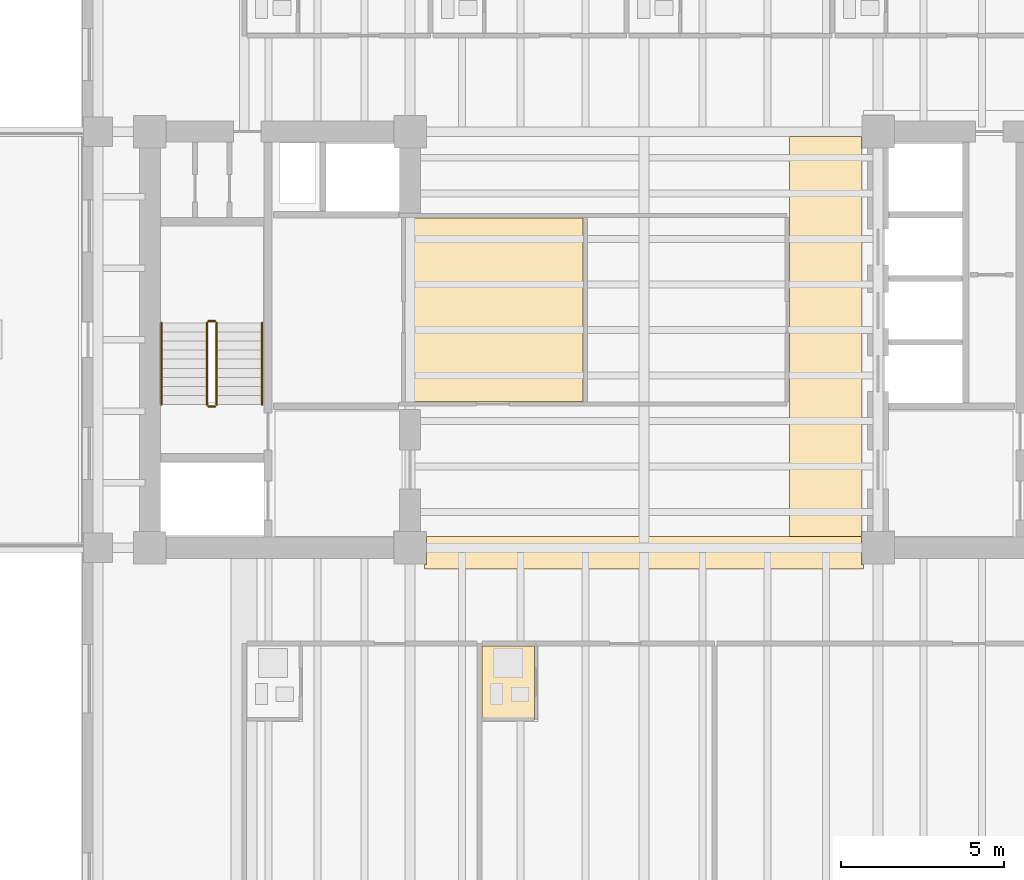
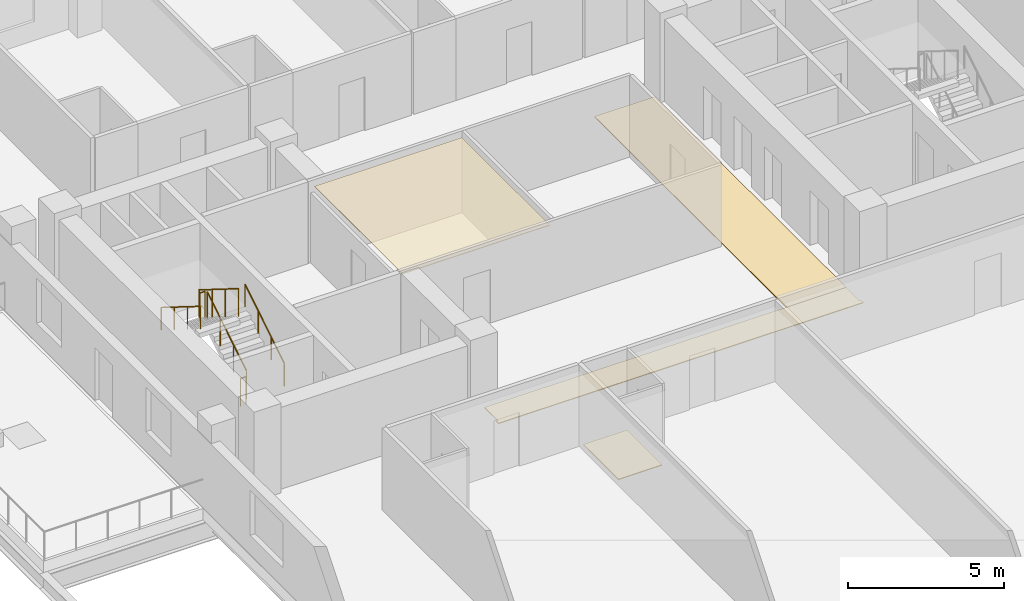
# One storey, part 8 of 11: 6 railings, 4 coverings.
"""IFC4 building model written with IfcOpenShell, lengths in metres."""

from ifc_helpers import new_model, si_unit, direction, frame, origin, origin_2d, place, context, subcontext, project, spatial, polyline, circle, outline, extrude, material, layer, layer_set, type_object, element, save


model = new_model("IFC4")

# Units and contexts
model_context = context("Model", 3, precision=1e-05, world=origin(), true_north=direction((0.0, 1.0)))
body_context = subcontext(model_context, "Body", "Model", "MODEL_VIEW")
ifc_project = project(units=[si_unit("LENGTHUNIT", "METRE"), si_unit("AREAUNIT", "SQUARE_METRE"), si_unit("VOLUMEUNIT", "CUBIC_METRE"), si_unit("PLANEANGLEUNIT", "RADIAN"), si_unit("MASSUNIT", "GRAM", prefix="KILO")], contexts=[model_context])

# Site, building, storey
site_placement = place(None, origin())
site = spatial("IfcSite", under=ifc_project, at=site_placement, CompositionType="ELEMENT")
building_placement = place(site_placement, origin())
building = spatial("IfcBuilding", under=site, at=building_placement, Name="Kranthara Brick Stack", CompositionType="ELEMENT")
storey_placement = place(building_placement, frame((0.0, 0.0, 141.300048828125)))
storey = spatial("IfcBuildingStorey", under=building, at=storey_placement, Name="L35", CompositionType="ELEMENT", Elevation=141.300048828125)

# Coverings
ifc_material_1 = material(Name="Perforated mineral-fibre acoustic ceiling tile", Category="other")
ifc_layer_1 = layer(ifc_material_1, 0.02490234375)
ifc_layer_set_1 = layer_set([ifc_layer_1], Name="Perforated mineral-fibre acoustic ceiling tile")
covering_type_1 = type_object("IfcCoveringType", Name="COV-CEIL-ACOUSTIC", PredefinedType="CEILING", material=ifc_layer_set_1)
covering_1_placement = place(storey_placement, frame((0.0, 0.0, 2.929931640625)))
element("IfcCovering", 1, at=covering_1_placement, inside=storey, type_object=covering_type_1, Name="L35 L35 Hotel Tea Salon Acoustic Ceiling", PredefinedType="CEILING", context=body_context, shape_type="SweptSolid", body=[
    extrude(outline(polyline([(26.1201171875, 25.300048828125), (26.1201171875, 30.93994140625), (20.679931640625, 30.93994140625), (20.679931640625, 25.300048828125), (26.1201171875, 25.300048828125)])), origin(), (0.0, 0.0, 1.0), 0.02490234375),
])
ifc_material_2 = material(Name="Honed terrazzo and porcelain floor finish", Category="stone")
ifc_layer_2 = layer(ifc_material_2, 0.030029296875)
ifc_layer_set_2 = layer_set([ifc_layer_2], Name="Honed terrazzo and porcelain floor finish")
covering_type_2 = type_object("IfcCoveringType", Name="COV-FLOR-STONE", PredefinedType="FLOORING", material=ifc_layer_set_2)
covering_2_placement = place(storey_placement, origin())
element("IfcCovering", 2, at=covering_2_placement, inside=storey, type_object=covering_type_2, Name="L35 Lift Lobby Stone Flooring", PredefinedType="FLOORING", context=body_context, shape_type="SweptSolid", body=[
    extrude(outline(polyline([(32.47998046875, 33.449951171875), (34.68994140625, 33.449951171875), (34.68994140625, 33.090087890625), (34.699951171875, 33.090087890625), (34.699951171875, 21.31005859375), (34.68994140625, 21.31005859375), (34.68994140625, 21.14990234375), (32.47998046875, 21.14990234375), (32.47998046875, 33.449951171875)])), origin(), (0.0, 0.0, 1.0), 0.030029296875),
])
covering_3_placement = place(storey_placement, origin())
element("IfcCovering", 3, at=covering_3_placement, inside=storey, type_object=covering_type_2, Name="L35 Lift Lobby Stone Flooring", PredefinedType="FLOORING", context=body_context, shape_type="SweptSolid", body=[
    extrude(outline(polyline([(21.25, 20.2900390625), (21.31005859375, 20.2900390625), (21.31005859375, 21.14990234375), (32.47998046875, 21.14990234375), (34.68994140625, 21.14990234375), (34.68994140625, 20.2900390625), (34.75, 20.2900390625), (34.75, 20.14990234375), (21.25, 20.14990234375), (21.25, 20.2900390625)])), origin(), (0.0, 0.0, 1.0), 0.030029296875),
])
covering_4_placement = place(storey_placement, origin())
element("IfcCovering", 4, at=covering_4_placement, inside=storey, type_object=covering_type_2, Name="L35 Wet Room Porcelain Flooring", PredefinedType="FLOORING", context=body_context, shape_type="SweptSolid", body=[
    extrude(outline(polyline([(23.01611328125, 15.52001953125), (23.01611328125, 17.77001953125), (24.632568359375, 17.77001953125), (24.632568359375, 15.52001953125), (23.01611328125, 15.52001953125)])), origin(), (0.0, 0.0, 1.0), 0.030029296875),
])

# Railings
ifc_material_3 = material(Name="Painted galvanized steel stair guardrail", Category="steel")
railing_type_1 = type_object("IfcRailingType", Name="RL-STAIR-GUARD-1100", PredefinedType="GUARDRAIL", material=ifc_material_3)
railing_1_placement = place(storey_placement, frame((14.85009765625, 25.199951171875, 0.175048828125)))
element("IfcRailing", 5, at=railing_1_placement, inside=storey, type_object=railing_type_1, Name="L35 ST01 stair guard 1", PredefinedType="GUARDRAIL", context=body_context, shape_type="SweptSolid", body=[
    extrude(circle(Radius=0.02392578125, at=origin_2d()), frame((0.0, 0.0, 1.076171875), z_axis=(0.0, 0.848007534815, 0.529984170421), x_axis=(-1.0, 0.0, 0.0)), (0.0, 0.0, 1.0), 2.9716796875),
    extrude(circle(Radius=0.02099609375, at=origin_2d()), origin(), (0.0, 0.0, 1.0), 1.052001953125),
    extrude(circle(Radius=0.02099609375, at=origin_2d()), frame((0.0, 0.840087890625, 0.52490234375)), (0.0, 0.0, 1.0), 1.052001953125),
    extrude(circle(Radius=0.02099609375, at=origin_2d()), frame((0.0, 1.679931640625, 1.050048828125)), (0.0, 0.0, 1.0), 1.052001953125),
    extrude(circle(Radius=0.02099609375, at=origin_2d()), frame((0.0, 2.52001953125, 1.574951171875)), (0.0, 0.0, 1.0), 1.052001953125),
])
railing_2_placement = place(storey_placement, frame((14.800048828125, 27.77001953125, 1.75)))
element("IfcRailing", 6, at=railing_2_placement, inside=storey, type_object=railing_type_1, Name="L35 ST01 stair guard 2", PredefinedType="GUARDRAIL", context=body_context, shape_type="SweptSolid", body=[
    extrude(circle(Radius=0.02392578125, at=origin_2d()), frame((0.0, 0.0, 1.076171875), z_axis=(-1.0, 0.0, 0.0), x_axis=(0.0, -1.0, 0.0)), (0.0, 0.0, 1.0), 0.199951171875),
    extrude(circle(Radius=0.02099609375, at=origin_2d()), origin(), (0.0, 0.0, 1.0), 1.052001953125),
    extrude(circle(Radius=0.02099609375, at=origin_2d()), frame((-0.199951171875, 0.0, 0.0)), (0.0, 0.0, 1.0), 1.052001953125),
])
railing_3_placement = place(storey_placement, frame((14.550048828125, 27.719970703125, 1.925048828125)))
element("IfcRailing", 7, at=railing_3_placement, inside=storey, type_object=railing_type_1, Name="L35 ST01 stair guard 3", PredefinedType="GUARDRAIL", context=body_context, shape_type="SweptSolid", body=[
    extrude(circle(Radius=0.02392578125, at=origin_2d()), frame((0.0, 0.0, 1.076171875), z_axis=(0.0, -0.848007534815, 0.529984170421), x_axis=(1.0, 0.0, 0.0)), (0.0, 0.0, 1.0), 2.9716796875),
    extrude(circle(Radius=0.02099609375, at=origin_2d()), origin(), (0.0, 0.0, 1.0), 1.052001953125),
    extrude(circle(Radius=0.02099609375, at=origin_2d()), frame((0.0, -0.840087890625, 0.52490234375)), (0.0, 0.0, 1.0), 1.052001953125),
    extrude(circle(Radius=0.02099609375, at=origin_2d()), frame((0.0, -1.679931640625, 1.050048828125)), (0.0, 0.0, 1.0), 1.052001953125),
    extrude(circle(Radius=0.02099609375, at=origin_2d()), frame((0.0, -2.52001953125, 1.574951171875)), (0.0, 0.0, 1.0), 1.052001953125),
])
railing_4_placement = place(storey_placement, frame((14.800048828125, 25.14990234375, 0.0)))
element("IfcRailing", 8, at=railing_4_placement, inside=storey, type_object=railing_type_1, Name="L35 ST01 stair guard 4", PredefinedType="GUARDRAIL", context=body_context, shape_type="SweptSolid", body=[
    extrude(circle(Radius=0.02392578125, at=origin_2d()), frame((0.0, 0.0, 1.076171875), z_axis=(-1.0, 0.0, 0.0), x_axis=(0.0, -1.0, 0.0)), (0.0, 0.0, 1.0), 0.199951171875),
    extrude(circle(Radius=0.02099609375, at=origin_2d()), origin(), (0.0, 0.0, 1.0), 1.052001953125),
    extrude(circle(Radius=0.02099609375, at=origin_2d()), frame((-0.199951171875, 0.0, 0.0)), (0.0, 0.0, 1.0), 1.052001953125),
])
ifc_material_4 = material(Name="Brushed stainless steel tubular handrail", Category="steel")
railing_type_2 = type_object("IfcRailingType", Name="RL-STAIR-HAND-900", PredefinedType="HANDRAIL", material=ifc_material_4)
railing_5_placement = place(storey_placement, frame((16.25, 25.199951171875, 0.175048828125)))
element("IfcRailing", 9, at=railing_5_placement, inside=storey, type_object=railing_type_2, Name="L35 ST01 stair handrail 1", PredefinedType="HANDRAIL", context=body_context, shape_type="SweptSolid", body=[
    extrude(circle(Radius=0.02392578125, at=origin_2d()), frame((0.0, 0.0, 0.8759765625), z_axis=(0.0, 0.848007534815, 0.529984170421), x_axis=(-1.0, 0.0, 0.0)), (0.0, 0.0, 1.0), 2.9716796875),
    extrude(circle(Radius=0.02099609375, at=origin_2d()), origin(), (0.0, 0.0, 1.0), 0.851806640625),
    extrude(circle(Radius=0.02099609375, at=origin_2d()), frame((0.0, 0.840087890625, 0.52490234375)), (0.0, 0.0, 1.0), 0.851806640625),
    extrude(circle(Radius=0.02099609375, at=origin_2d()), frame((0.0, 1.679931640625, 1.050048828125)), (0.0, 0.0, 1.0), 0.851806640625),
    extrude(circle(Radius=0.02099609375, at=origin_2d()), frame((0.0, 2.52001953125, 1.574951171875)), (0.0, 0.0, 1.0), 0.851806640625),
])
railing_6_placement = place(storey_placement, frame((13.14990234375, 27.719970703125, 1.925048828125)))
element("IfcRailing", 10, at=railing_6_placement, inside=storey, type_object=railing_type_2, Name="L35 ST01 stair handrail 2", PredefinedType="HANDRAIL", context=body_context, shape_type="SweptSolid", body=[
    extrude(circle(Radius=0.02392578125, at=origin_2d()), frame((0.0, 0.0, 0.8759765625), z_axis=(0.0, -0.848007534815, 0.529984170421), x_axis=(1.0, 0.0, 0.0)), (0.0, 0.0, 1.0), 2.9716796875),
    extrude(circle(Radius=0.02099609375, at=origin_2d()), origin(), (0.0, 0.0, 1.0), 0.851806640625),
    extrude(circle(Radius=0.02099609375, at=origin_2d()), frame((0.0, -0.840087890625, 0.52490234375)), (0.0, 0.0, 1.0), 0.851806640625),
    extrude(circle(Radius=0.02099609375, at=origin_2d()), frame((0.0, -1.679931640625, 1.050048828125)), (0.0, 0.0, 1.0), 0.851806640625),
    extrude(circle(Radius=0.02099609375, at=origin_2d()), frame((0.0, -2.52001953125, 1.574951171875)), (0.0, 0.0, 1.0), 0.851806640625),
])

save(model, "model.ifc")
